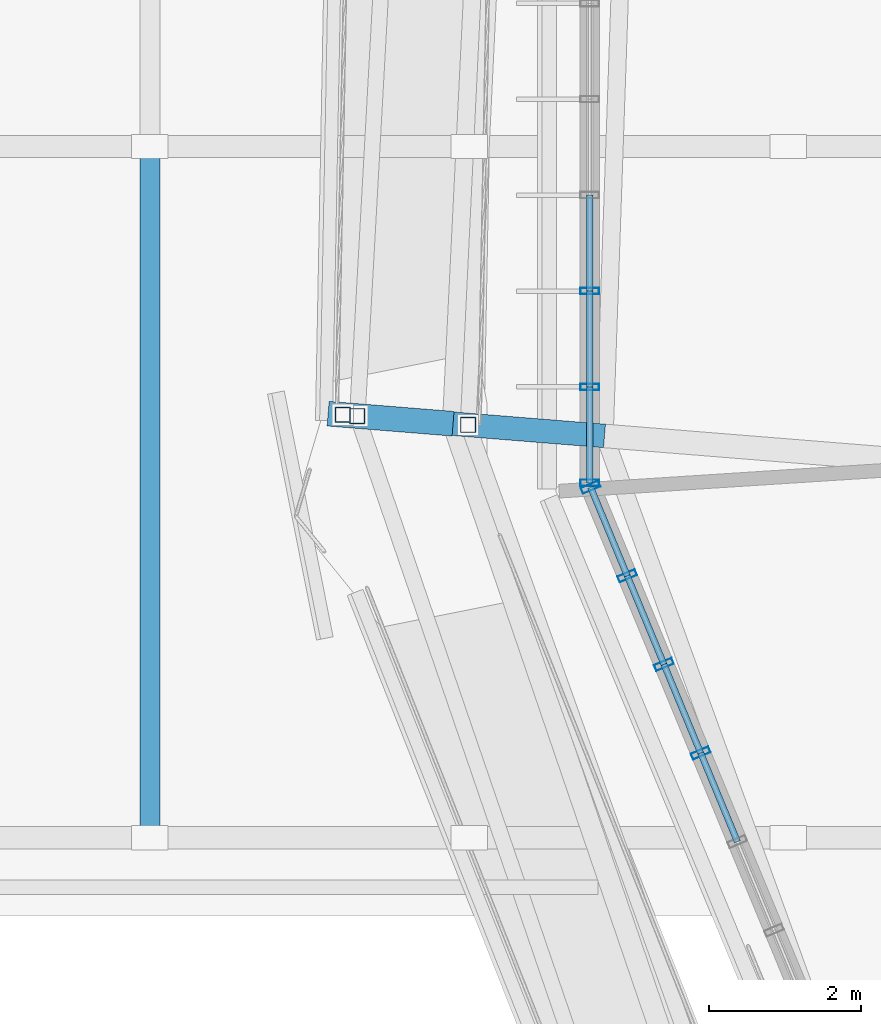
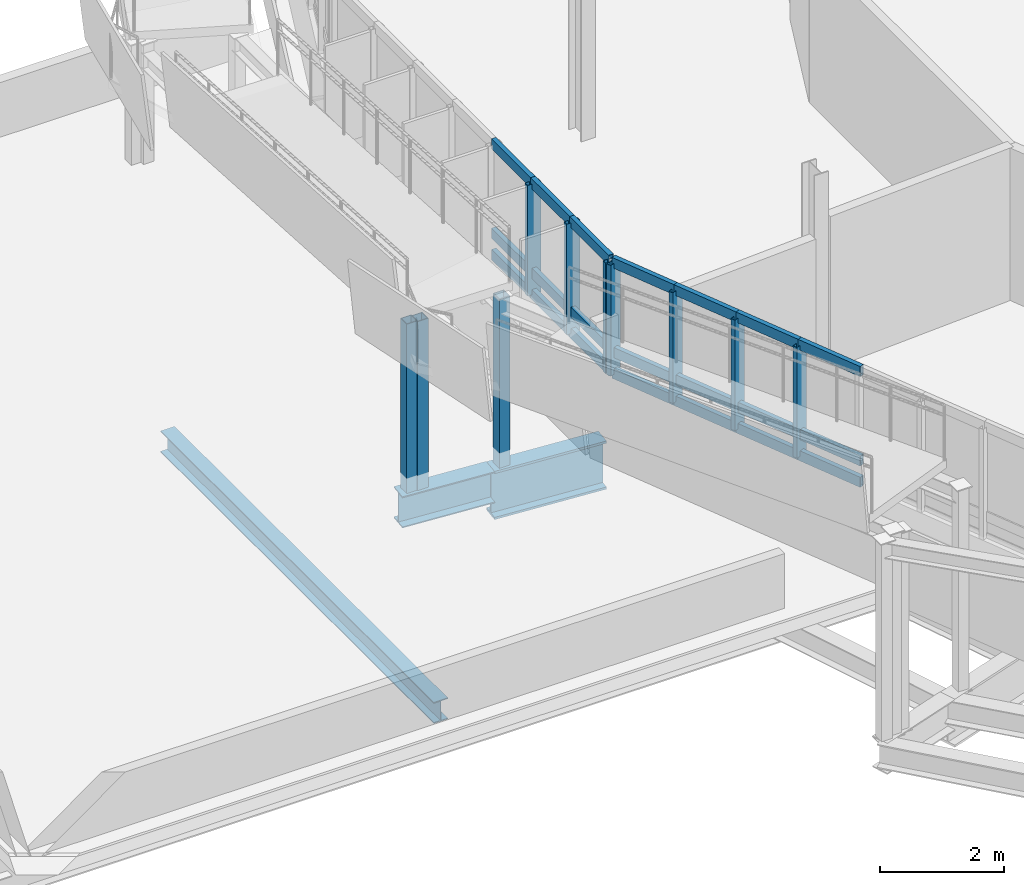
# One storey, part 12 of 61: 31 members, 3 beams, 2 elements without a shape of their own.
"""IFC4 building model written with IfcOpenShell, lengths in metres."""

from ifc_helpers import new_model, si_unit, derived_unit, direction, frame, origin, origin_2d, place, context, subcontext, project, spatial, hollow_rectangle, i_section, extrude, material, layer, layer_set, material_profile, profile_set, type_object, element, aggregate, save


model = new_model("IFC4")

# Units and contexts
model_context = context("Model", 3, precision=1e-05, world=origin(), true_north=direction((0.0, 1.0)))
body_context = subcontext(model_context, "Body", "Model", "MODEL_VIEW")
ifc_project = project(units=[si_unit("LENGTHUNIT", "METRE"), si_unit("AREAUNIT", "SQUARE_METRE"), si_unit("VOLUMEUNIT", "CUBIC_METRE"), si_unit("PLANEANGLEUNIT", "RADIAN"), si_unit("MASSUNIT", "GRAM", prefix="KILO"), derived_unit("THERMALTRANSMITTANCEUNIT", [(si_unit("MASSUNIT", "GRAM", prefix="KILO"), 1), (si_unit("TIMEUNIT", "SECOND"), -3), (si_unit("THERMODYNAMICTEMPERATUREUNIT", "KELVIN"), -1)])], contexts=[model_context])

# Site, building, storey
site_placement = place(None, origin())
site = spatial("IfcSite", under=ifc_project, at=site_placement, CompositionType="ELEMENT")
building_placement = place(site_placement, origin())
building = spatial("IfcBuilding", under=site, at=building_placement, Name="Makaiwela Harbour Ferry Terminal", CompositionType="ELEMENT")
storey_placement = place(building_placement, frame((0.0, 0.0, 13.800048828125)))
storey = spatial("IfcBuildingStorey", under=building, at=storey_placement, Name="L03", CompositionType="ELEMENT", Elevation=13.800048828125)

# Curtain wall, members
ifc_material_1 = material(Name="Marine anodised aluminium 6063-T6", Category="aluminium")
ifc_layer = layer(ifc_material_1, 0.199951171875)
ifc_layer_set = layer_set([ifc_layer], Name="Marine anodised aluminium 6063-T6")
curtain_wall_type = type_object("IfcCurtainWallType", Name="ENV-CW-05", PredefinedType="USERDEFINED", material=ifc_layer_set)
curtain_wall_1_placement = place(storey_placement, origin())
curtain_wall_1 = element("IfcCurtainWall", 1, at=curtain_wall_1_placement, inside=storey, type_object=curtain_wall_type, Name="Unitised Curtain Wall CWA-035", ObjectType="UNITIZED CURTAIN WALL", PredefinedType="USERDEFINED")
ifc_material_profile_1 = material_profile(ifc_material_1, hollow_rectangle(XDim=0.0849609375, YDim=0.25, WallThickness=0.0048828125, at=origin_2d()), Name="CWM-250X85")
ifc_profile_set_1 = profile_set([ifc_material_profile_1], Name="Marine anodised aluminium 6063-T6")
member_type_1 = type_object("IfcMemberType", Name="CW-MUL-250", PredefinedType="MULLION", material=ifc_profile_set_1)
member_1_placement = place(storey_placement, frame((14.18798828125, 66.54638671875, 1.47998046875), z_axis=(0.0, 0.0, 1.0), x_axis=(0.0, 1.0, 0.0)))
member_1 = element("IfcMember", 2, at=member_1_placement, type_object=member_type_1, Name="Curtain Wall Mullion CWA-035-6", PredefinedType="MULLION", context=body_context, shape_type="SweptSolid", body=[
    extrude(hollow_rectangle(XDim=0.0849609375, YDim=0.25, WallThickness=0.0048828125, at=origin_2d()), origin(), (0.0, 0.0, 1.0), 2.179931640625),
])
member_2_placement = place(storey_placement, frame((14.18798828125, 65.2841796875, 1.47998046875), z_axis=(0.0, 0.0, 1.0), x_axis=(0.0, 1.0, 0.0)))
member_2 = element("IfcMember", 3, at=member_2_placement, type_object=member_type_1, Name="Curtain Wall Mullion CWA-035-7", PredefinedType="MULLION", context=body_context, shape_type="SweptSolid", body=[
    extrude(hollow_rectangle(XDim=0.0849609375, YDim=0.25, WallThickness=0.0048828125, at=origin_2d()), origin(), (0.0, 0.0, 1.0), 2.179931640625),
])
member_3_placement = place(storey_placement, frame((14.18798828125, 64.02197265625, 1.47998046875), z_axis=(0.0, 0.0, 1.0), x_axis=(0.0, 1.0, 0.0)))
member_3 = element("IfcMember", 4, at=member_3_placement, type_object=member_type_1, Name="Curtain Wall Mullion CWA-035-8", PredefinedType="MULLION", context=body_context, shape_type="SweptSolid", body=[
    extrude(hollow_rectangle(XDim=0.0849609375, YDim=0.25, WallThickness=0.0048828125, at=origin_2d()), origin(), (0.0, 0.0, 1.0), 2.179931640625),
])

curtain_wall_2_placement = place(storey_placement, origin())
curtain_wall_2 = element("IfcCurtainWall", 5, at=curtain_wall_2_placement, inside=storey, type_object=curtain_wall_type, Name="Unitised Curtain Wall CWA-036", ObjectType="UNITIZED CURTAIN WALL", PredefinedType="USERDEFINED")
member_4_placement = place(storey_placement, frame((14.19970703125, 63.964111328125, 1.47998046875), z_axis=(0.0, 0.0, 1.0), x_axis=(-0.382683432365, 0.923879532511, 0.0)))
member_4 = element("IfcMember", 6, at=member_4_placement, type_object=member_type_1, Name="Curtain Wall Mullion CWA-036-1", PredefinedType="MULLION", context=body_context, shape_type="SweptSolid", body=[
    extrude(hollow_rectangle(XDim=0.0849609375, YDim=0.25, WallThickness=0.0048828125, at=origin_2d()), origin(), (0.0, 0.0, 1.0), 2.179931640625),
])
member_5_placement = place(storey_placement, frame((14.6826171875, 62.798095703125, 1.47998046875), z_axis=(0.0, 0.0, 1.0), x_axis=(-0.382683432365, 0.923879532511, 0.0)))
member_5 = element("IfcMember", 7, at=member_5_placement, type_object=member_type_1, Name="Curtain Wall Mullion CWA-036-2", PredefinedType="MULLION", context=body_context, shape_type="SweptSolid", body=[
    extrude(hollow_rectangle(XDim=0.0849609375, YDim=0.25, WallThickness=0.0048828125, at=origin_2d()), origin(), (0.0, 0.0, 1.0), 2.179931640625),
])
member_6_placement = place(storey_placement, frame((15.165771484375, 61.6318359375, 1.47998046875), z_axis=(0.0, 0.0, 1.0), x_axis=(-0.382683432365, 0.923879532511, 0.0)))
member_6 = element("IfcMember", 8, at=member_6_placement, type_object=member_type_1, Name="Curtain Wall Mullion CWA-036-3", PredefinedType="MULLION", context=body_context, shape_type="SweptSolid", body=[
    extrude(hollow_rectangle(XDim=0.0849609375, YDim=0.25, WallThickness=0.0048828125, at=origin_2d()), origin(), (0.0, 0.0, 1.0), 2.179931640625),
])
member_7_placement = place(storey_placement, frame((15.648681640625, 60.465576171875, 1.47998046875), z_axis=(0.0, 0.0, 1.0), x_axis=(-0.382683432365, 0.923879532511, 0.0)))
member_7 = element("IfcMember", 9, at=member_7_placement, type_object=member_type_1, Name="Curtain Wall Mullion CWA-036-4", PredefinedType="MULLION", context=body_context, shape_type="SweptSolid", body=[
    extrude(hollow_rectangle(XDim=0.0849609375, YDim=0.25, WallThickness=0.0048828125, at=origin_2d()), origin(), (0.0, 0.0, 1.0), 2.179931640625),
])

# Member
ifc_material_profile_2 = material_profile(ifc_material_1, hollow_rectangle(XDim=0.0849609375, YDim=0.199951171875, WallThickness=0.0048828125, at=origin_2d()), Name="CWT-200X85")
ifc_profile_set_2 = profile_set([ifc_material_profile_2], Name="Marine anodised aluminium 6063-T6")
member_type_2 = type_object("IfcMemberType", Name="CW-TRN-200", PredefinedType="USERDEFINED", material=ifc_profile_set_2)
member_8_placement = place(storey_placement, frame((14.18798828125, 67.808837890625, 1.47998046875), z_axis=(0.0, -1.0, 0.0), x_axis=(1.0, 0.0, 0.0)))
member_8 = element("IfcMember", 10, at=member_8_placement, type_object=member_type_2, Name="Curtain Wall Transom CWA-035-5-1", ObjectType="TRANSOM", PredefinedType="USERDEFINED", context=body_context, shape_type="SweptSolid", body=[
    extrude(hollow_rectangle(XDim=0.0849609375, YDim=0.199951171875, WallThickness=0.0048828125, at=origin_2d()), origin(), (0.0, 0.0, 1.0), 1.262451171875),
])

member_9_placement = place(storey_placement, frame((14.18798828125, 67.808837890625, 1.89990234375), z_axis=(0.0, -1.0, 0.0), x_axis=(1.0, 0.0, 0.0)))
member_9 = element("IfcMember", 11, at=member_9_placement, type_object=member_type_2, Name="Curtain Wall Transom CWA-035-5-2", ObjectType="TRANSOM", PredefinedType="USERDEFINED", context=body_context, shape_type="SweptSolid", body=[
    extrude(hollow_rectangle(XDim=0.0849609375, YDim=0.199951171875, WallThickness=0.0048828125, at=origin_2d()), origin(), (0.0, 0.0, 1.0), 1.262451171875),
])

member_10_placement = place(storey_placement, frame((14.18798828125, 67.808837890625, 3.659912109375), z_axis=(0.0, -1.0, 0.0), x_axis=(1.0, 0.0, 0.0)))
member_10 = element("IfcMember", 12, at=member_10_placement, type_object=member_type_2, Name="Curtain Wall Transom CWA-035-5-3", ObjectType="TRANSOM", PredefinedType="USERDEFINED", context=body_context, shape_type="SweptSolid", body=[
    extrude(hollow_rectangle(XDim=0.0849609375, YDim=0.199951171875, WallThickness=0.0048828125, at=origin_2d()), origin(), (0.0, 0.0, 1.0), 1.262451171875),
])

member_11_placement = place(storey_placement, frame((14.18798828125, 66.54638671875, 1.47998046875), z_axis=(0.0, -1.0, 0.0), x_axis=(1.0, 0.0, 0.0)))
member_11 = element("IfcMember", 13, at=member_11_placement, type_object=member_type_2, Name="Curtain Wall Transom CWA-035-6-1", ObjectType="TRANSOM", PredefinedType="USERDEFINED", context=body_context, shape_type="SweptSolid", body=[
    extrude(hollow_rectangle(XDim=0.0849609375, YDim=0.199951171875, WallThickness=0.0048828125, at=origin_2d()), origin(), (0.0, 0.0, 1.0), 1.26220703125),
])

member_12_placement = place(storey_placement, frame((14.18798828125, 66.54638671875, 1.89990234375), z_axis=(0.0, -1.0, 0.0), x_axis=(1.0, 0.0, 0.0)))
member_12 = element("IfcMember", 14, at=member_12_placement, type_object=member_type_2, Name="Curtain Wall Transom CWA-035-6-2", ObjectType="TRANSOM", PredefinedType="USERDEFINED", context=body_context, shape_type="SweptSolid", body=[
    extrude(hollow_rectangle(XDim=0.0849609375, YDim=0.199951171875, WallThickness=0.0048828125, at=origin_2d()), origin(), (0.0, 0.0, 1.0), 1.26220703125),
])

member_13_placement = place(storey_placement, frame((14.18798828125, 66.54638671875, 3.659912109375), z_axis=(0.0, -1.0, 0.0), x_axis=(1.0, 0.0, 0.0)))
member_13 = element("IfcMember", 15, at=member_13_placement, type_object=member_type_2, Name="Curtain Wall Transom CWA-035-6-3", ObjectType="TRANSOM", PredefinedType="USERDEFINED", context=body_context, shape_type="SweptSolid", body=[
    extrude(hollow_rectangle(XDim=0.0849609375, YDim=0.199951171875, WallThickness=0.0048828125, at=origin_2d()), origin(), (0.0, 0.0, 1.0), 1.26220703125),
])

member_14_placement = place(storey_placement, frame((14.18798828125, 65.2841796875, 1.47998046875), z_axis=(0.0, -1.0, 0.0), x_axis=(1.0, 0.0, 0.0)))
member_14 = element("IfcMember", 16, at=member_14_placement, type_object=member_type_2, Name="Curtain Wall Transom CWA-035-7-1", ObjectType="TRANSOM", PredefinedType="USERDEFINED", context=body_context, shape_type="SweptSolid", body=[
    extrude(hollow_rectangle(XDim=0.0849609375, YDim=0.199951171875, WallThickness=0.0048828125, at=origin_2d()), origin(), (0.0, 0.0, 1.0), 1.26220703125),
])

member_15_placement = place(storey_placement, frame((14.18798828125, 65.2841796875, 1.89990234375), z_axis=(0.0, -1.0, 0.0), x_axis=(1.0, 0.0, 0.0)))
member_15 = element("IfcMember", 17, at=member_15_placement, type_object=member_type_2, Name="Curtain Wall Transom CWA-035-7-2", ObjectType="TRANSOM", PredefinedType="USERDEFINED", context=body_context, shape_type="SweptSolid", body=[
    extrude(hollow_rectangle(XDim=0.0849609375, YDim=0.199951171875, WallThickness=0.0048828125, at=origin_2d()), origin(), (0.0, 0.0, 1.0), 1.26220703125),
])

member_16_placement = place(storey_placement, frame((14.18798828125, 65.2841796875, 3.659912109375), z_axis=(0.0, -1.0, 0.0), x_axis=(1.0, 0.0, 0.0)))
member_16 = element("IfcMember", 18, at=member_16_placement, type_object=member_type_2, Name="Curtain Wall Transom CWA-035-7-3", ObjectType="TRANSOM", PredefinedType="USERDEFINED", context=body_context, shape_type="SweptSolid", body=[
    extrude(hollow_rectangle(XDim=0.0849609375, YDim=0.199951171875, WallThickness=0.0048828125, at=origin_2d()), origin(), (0.0, 0.0, 1.0), 1.26220703125),
])

aggregate(curtain_wall_1, [member_1, member_2, member_3, member_8, member_9, member_10, member_11, member_12, member_13, member_14, member_15, member_16])

member_17_placement = place(storey_placement, frame((14.19970703125, 63.964111328125, 1.47998046875), z_axis=(0.382636543056, -0.923898953305, 0.0), x_axis=(0.923898953305, 0.382636543056, 0.0)))
member_17 = element("IfcMember", 19, at=member_17_placement, type_object=member_type_2, Name="Curtain Wall Transom CWA-036-1-1", ObjectType="TRANSOM", PredefinedType="USERDEFINED", context=body_context, shape_type="SweptSolid", body=[
    extrude(hollow_rectangle(XDim=0.0849609375, YDim=0.199951171875, WallThickness=0.0048828125, at=origin_2d()), origin(), (0.0, 0.0, 1.0), 1.261962890625),
])

member_18_placement = place(storey_placement, frame((14.19970703125, 63.964111328125, 1.89990234375), z_axis=(0.382636543056, -0.923898953305, 0.0), x_axis=(0.923898953305, 0.382636543056, 0.0)))
member_18 = element("IfcMember", 20, at=member_18_placement, type_object=member_type_2, Name="Curtain Wall Transom CWA-036-1-2", ObjectType="TRANSOM", PredefinedType="USERDEFINED", context=body_context, shape_type="SweptSolid", body=[
    extrude(hollow_rectangle(XDim=0.0849609375, YDim=0.199951171875, WallThickness=0.0048828125, at=origin_2d()), origin(), (0.0, 0.0, 1.0), 1.261962890625),
])

member_19_placement = place(storey_placement, frame((14.19970703125, 63.964111328125, 3.659912109375), z_axis=(0.382636543056, -0.923898953305, 0.0), x_axis=(0.923898953305, 0.382636543056, 0.0)))
member_19 = element("IfcMember", 21, at=member_19_placement, type_object=member_type_2, Name="Curtain Wall Transom CWA-036-1-3", ObjectType="TRANSOM", PredefinedType="USERDEFINED", context=body_context, shape_type="SweptSolid", body=[
    extrude(hollow_rectangle(XDim=0.0849609375, YDim=0.199951171875, WallThickness=0.0048828125, at=origin_2d()), origin(), (0.0, 0.0, 1.0), 1.261962890625),
])

member_20_placement = place(storey_placement, frame((14.6826171875, 62.798095703125, 1.47998046875), z_axis=(0.38273325349, -0.923858894352, 0.0), x_axis=(0.923858894352, 0.38273325349, 0.0)))
member_20 = element("IfcMember", 22, at=member_20_placement, type_object=member_type_2, Name="Curtain Wall Transom CWA-036-2-1", ObjectType="TRANSOM", PredefinedType="USERDEFINED", context=body_context, shape_type="SweptSolid", body=[
    extrude(hollow_rectangle(XDim=0.0849609375, YDim=0.199951171875, WallThickness=0.0048828125, at=origin_2d()), origin(), (0.0, 0.0, 1.0), 1.262451171875),
])

member_21_placement = place(storey_placement, frame((14.6826171875, 62.798095703125, 1.89990234375), z_axis=(0.38273325349, -0.923858894352, 0.0), x_axis=(0.923858894352, 0.38273325349, 0.0)))
member_21 = element("IfcMember", 23, at=member_21_placement, type_object=member_type_2, Name="Curtain Wall Transom CWA-036-2-2", ObjectType="TRANSOM", PredefinedType="USERDEFINED", context=body_context, shape_type="SweptSolid", body=[
    extrude(hollow_rectangle(XDim=0.0849609375, YDim=0.199951171875, WallThickness=0.0048828125, at=origin_2d()), origin(), (0.0, 0.0, 1.0), 1.262451171875),
])

member_22_placement = place(storey_placement, frame((14.6826171875, 62.798095703125, 3.659912109375), z_axis=(0.38273325349, -0.923858894352, 0.0), x_axis=(0.923858894352, 0.38273325349, 0.0)))
member_22 = element("IfcMember", 24, at=member_22_placement, type_object=member_type_2, Name="Curtain Wall Transom CWA-036-2-3", ObjectType="TRANSOM", PredefinedType="USERDEFINED", context=body_context, shape_type="SweptSolid", body=[
    extrude(hollow_rectangle(XDim=0.0849609375, YDim=0.199951171875, WallThickness=0.0048828125, at=origin_2d()), origin(), (0.0, 0.0, 1.0), 1.262451171875),
])

member_23_placement = place(storey_placement, frame((15.165771484375, 61.6318359375, 1.47998046875), z_axis=(0.382568167619, -0.923927268309, 0.0), x_axis=(0.923927268309, 0.382568167619, 0.0)))
member_23 = element("IfcMember", 25, at=member_23_placement, type_object=member_type_2, Name="Curtain Wall Transom CWA-036-3-1", ObjectType="TRANSOM", PredefinedType="USERDEFINED", context=body_context, shape_type="SweptSolid", body=[
    extrude(hollow_rectangle(XDim=0.0849609375, YDim=0.199951171875, WallThickness=0.0048828125, at=origin_2d()), origin(), (0.0, 0.0, 1.0), 1.26220703125),
])

member_24_placement = place(storey_placement, frame((15.165771484375, 61.6318359375, 1.89990234375), z_axis=(0.382568167619, -0.923927268309, 0.0), x_axis=(0.923927268309, 0.382568167619, 0.0)))
member_24 = element("IfcMember", 26, at=member_24_placement, type_object=member_type_2, Name="Curtain Wall Transom CWA-036-3-2", ObjectType="TRANSOM", PredefinedType="USERDEFINED", context=body_context, shape_type="SweptSolid", body=[
    extrude(hollow_rectangle(XDim=0.0849609375, YDim=0.199951171875, WallThickness=0.0048828125, at=origin_2d()), origin(), (0.0, 0.0, 1.0), 1.26220703125),
])

member_25_placement = place(storey_placement, frame((15.165771484375, 61.6318359375, 3.659912109375), z_axis=(0.382568167619, -0.923927268309, 0.0), x_axis=(0.923927268309, 0.382568167619, 0.0)))
member_25 = element("IfcMember", 27, at=member_25_placement, type_object=member_type_2, Name="Curtain Wall Transom CWA-036-3-3", ObjectType="TRANSOM", PredefinedType="USERDEFINED", context=body_context, shape_type="SweptSolid", body=[
    extrude(hollow_rectangle(XDim=0.0849609375, YDim=0.199951171875, WallThickness=0.0048828125, at=origin_2d()), origin(), (0.0, 0.0, 1.0), 1.26220703125),
])

member_26_placement = place(storey_placement, frame((15.648681640625, 60.465576171875, 1.47998046875), z_axis=(0.38273325349, -0.923858894352, 0.0), x_axis=(0.923858894352, 0.38273325349, 0.0)))
member_26 = element("IfcMember", 28, at=member_26_placement, type_object=member_type_2, Name="Curtain Wall Transom CWA-036-4-1", ObjectType="TRANSOM", PredefinedType="USERDEFINED", context=body_context, shape_type="SweptSolid", body=[
    extrude(hollow_rectangle(XDim=0.0849609375, YDim=0.199951171875, WallThickness=0.0048828125, at=origin_2d()), origin(), (0.0, 0.0, 1.0), 1.262451171875),
])

member_27_placement = place(storey_placement, frame((15.648681640625, 60.465576171875, 1.89990234375), z_axis=(0.38273325349, -0.923858894352, 0.0), x_axis=(0.923858894352, 0.38273325349, 0.0)))
member_27 = element("IfcMember", 29, at=member_27_placement, type_object=member_type_2, Name="Curtain Wall Transom CWA-036-4-2", ObjectType="TRANSOM", PredefinedType="USERDEFINED", context=body_context, shape_type="SweptSolid", body=[
    extrude(hollow_rectangle(XDim=0.0849609375, YDim=0.199951171875, WallThickness=0.0048828125, at=origin_2d()), origin(), (0.0, 0.0, 1.0), 1.262451171875),
])

member_28_placement = place(storey_placement, frame((15.648681640625, 60.465576171875, 3.659912109375), z_axis=(0.38273325349, -0.923858894352, 0.0), x_axis=(0.923858894352, 0.38273325349, 0.0)))
member_28 = element("IfcMember", 30, at=member_28_placement, type_object=member_type_2, Name="Curtain Wall Transom CWA-036-4-3", ObjectType="TRANSOM", PredefinedType="USERDEFINED", context=body_context, shape_type="SweptSolid", body=[
    extrude(hollow_rectangle(XDim=0.0849609375, YDim=0.199951171875, WallThickness=0.0048828125, at=origin_2d()), origin(), (0.0, 0.0, 1.0), 1.262451171875),
])

aggregate(curtain_wall_2, [member_4, member_5, member_6, member_7, member_17, member_18, member_19, member_20, member_21, member_22, member_23, member_24, member_25, member_26, member_27, member_28])

# Beams
ifc_material_2 = material(Name="Steel ASTM A992 Grade 50", Category="steel")
ifc_material_profile_3 = material_profile(ifc_material_2, i_section(OverallWidth=0.324951171875, OverallDepth=0.615966796875, WebThickness=0.013916015625, FlangeThickness=0.021484375, at=origin_2d()), Name="W24X117")
ifc_profile_set_3 = profile_set([ifc_material_profile_3], Name="Steel ASTM A992 Grade 50")
beam_type_1 = type_object("IfcBeamType", Name="STR-GRD-W24X117", PredefinedType="USERDEFINED", material=ifc_profile_set_3)
beam_1_placement = place(storey_placement, frame((12.389404296875, 64.7998046875, -0.56298828125), z_axis=(-0.996778472595, 0.080203968549, 0.0), x_axis=(-0.080203968549, -0.996778472595, 0.0)))
element("IfcBeam", 31, at=beam_1_placement, inside=storey, type_object=beam_type_1, Name="Promenade terrace bracket 304", ObjectType="GIRDER", PredefinedType="USERDEFINED", context=body_context, shape_type="SweptSolid", body=[
    extrude(i_section(OverallWidth=0.324951171875, OverallDepth=0.615966796875, WebThickness=0.013916015625, FlangeThickness=0.021484375, at=origin_2d()), origin(), (0.0, 0.0, 1.0), 1.64990234375),
])
ifc_material_profile_4 = material_profile(ifc_material_2, i_section(OverallWidth=0.31005859375, OverallDepth=0.949951171875, WebThickness=0.0244140625, FlangeThickness=0.0439453125, at=origin_2d()), Name="W36X256")
ifc_profile_set_4 = profile_set([ifc_material_profile_4], Name="Steel ASTM A992 Grade 50")
beam_type_2 = type_object("IfcBeamType", Name="STR-GRD-W36X256", PredefinedType="USERDEFINED", material=ifc_profile_set_4)
beam_2_placement = place(storey_placement, frame((14.383056640625, 64.639404296875, -0.72998046875), z_axis=(-0.996779081025, 0.080196406592, 0.0), x_axis=(-0.080196406592, -0.996779081025, 0.0)))
element("IfcBeam", 32, at=beam_2_placement, inside=storey, type_object=beam_type_2, Name="Drum overhang radial girder 303", ObjectType="GIRDER", PredefinedType="USERDEFINED", context=body_context, shape_type="SweptSolid", body=[
    extrude(i_section(OverallWidth=0.31005859375, OverallDepth=0.949951171875, WebThickness=0.0244140625, FlangeThickness=0.0439453125, at=origin_2d()), origin(), (0.0, 0.0, 1.0), 2.0),
])
ifc_material_profile_5 = material_profile(ifc_material_2, i_section(OverallWidth=0.260986328125, OverallDepth=0.4189453125, WebThickness=0.01171875, FlangeThickness=0.019287109375, at=origin_2d()), Name="W16X77")
ifc_profile_set_5 = profile_set([ifc_material_profile_5], Name="Steel ASTM A992 Grade 50")
beam_type_3 = type_object("IfcBeamType", Name="STR-JST-W16X77", PredefinedType="JOIST", material=ifc_profile_set_5)
beam_3_placement = place(storey_placement, frame((8.39990234375, 59.490966796875, -0.449462890625), z_axis=(0.0, 1.0, 0.0), x_axis=(-1.0, 0.0, 0.0)))
element("IfcBeam", 33, at=beam_3_placement, inside=storey, type_object=beam_type_3, Name="Structural Beam J-02", PredefinedType="JOIST", context=body_context, shape_type="SweptSolid", body=[
    extrude(i_section(OverallWidth=0.260986328125, OverallDepth=0.4189453125, WebThickness=0.01171875, FlangeThickness=0.019287109375, at=origin_2d()), origin(), (0.0, 0.0, 1.0), 8.818115234375),
])

# Members
ifc_material_3 = material(Name="Steel ASTM A500 Grade C", Category="steel")
ifc_material_profile_6 = material_profile(ifc_material_3, hollow_rectangle(XDim=0.202880859375, YDim=0.202880859375, WallThickness=0.01171875, at=origin_2d()), Name="HSS8X8X1/2")
ifc_profile_set_6 = profile_set([ifc_material_profile_6], Name="Steel ASTM A500 Grade C")
member_type_3 = type_object("IfcMemberType", Name="STR-PST-HSS8", PredefinedType="POST", material=ifc_profile_set_6)
member_29_placement = place(storey_placement, frame((10.938232421875, 64.91650390625, -0.275146484375), z_axis=(0.0, 0.0, 1.0), x_axis=(1.0, 0.0, 0.0)))
element("IfcMember", 34, at=member_29_placement, inside=storey, type_object=member_type_3, Name="Exterior Ramp Support Post RP-0001", PredefinedType="POST", context=body_context, shape_type="SweptSolid", body=[
    extrude(hollow_rectangle(XDim=0.202880859375, YDim=0.202880859375, WallThickness=0.01171875, at=origin_2d()), origin(), (0.0, 0.0, 1.0), 3.35498046875),
])
member_30_placement = place(storey_placement, frame((11.12939453125, 64.901123046875, -0.275146484375), z_axis=(0.0, 0.0, 1.0), x_axis=(1.0, 0.0, 0.0)))
element("IfcMember", 35, at=member_30_placement, inside=storey, type_object=member_type_3, Name="Exterior Ramp Support Post RP-0002", PredefinedType="POST", context=body_context, shape_type="SweptSolid", body=[
    extrude(hollow_rectangle(XDim=0.202880859375, YDim=0.202880859375, WallThickness=0.01171875, at=origin_2d()), origin(), (0.0, 0.0, 1.0), 3.34716796875),
])
member_31_placement = place(storey_placement, frame((12.5869140625, 64.783935546875, -0.275146484375), z_axis=(0.0, 0.0, 1.0), x_axis=(1.0, 0.0, 0.0)))
element("IfcMember", 36, at=member_31_placement, inside=storey, type_object=member_type_3, Name="Exterior Ramp Support Post RP-0005", PredefinedType="POST", context=body_context, shape_type="SweptSolid", body=[
    extrude(hollow_rectangle(XDim=0.202880859375, YDim=0.202880859375, WallThickness=0.01171875, at=origin_2d()), origin(), (0.0, 0.0, 1.0), 3.35009765625),
])

save(model, "model.ifc")
